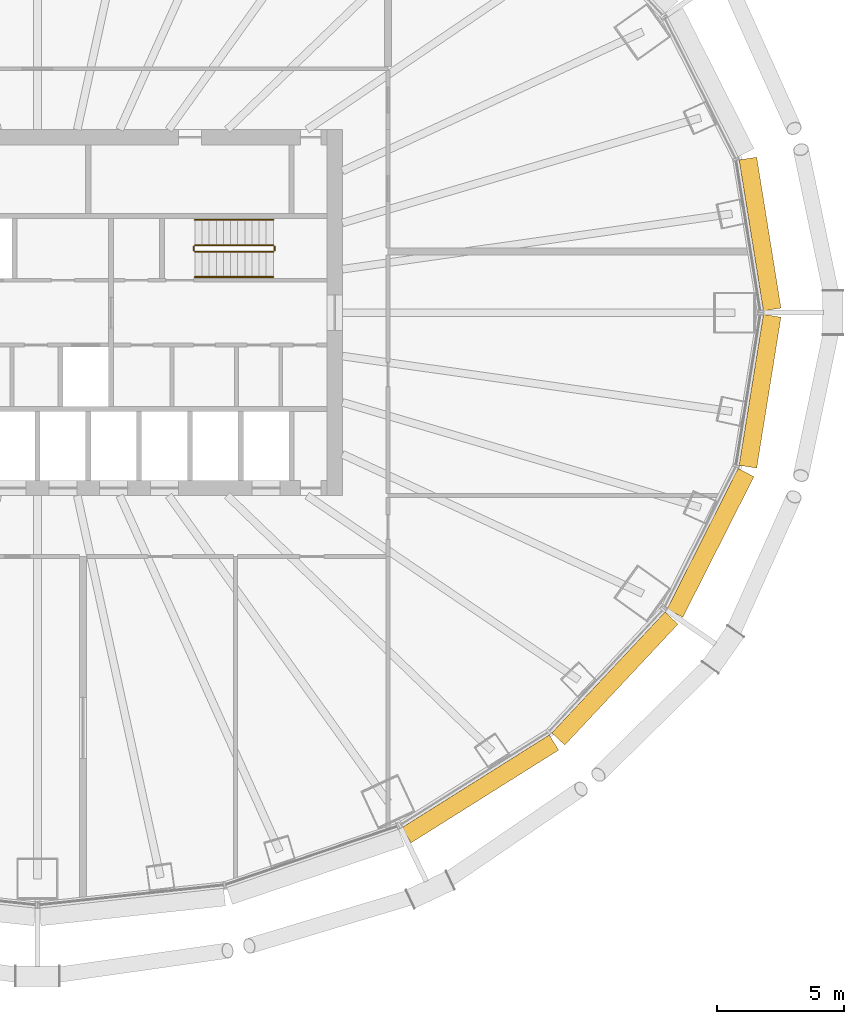
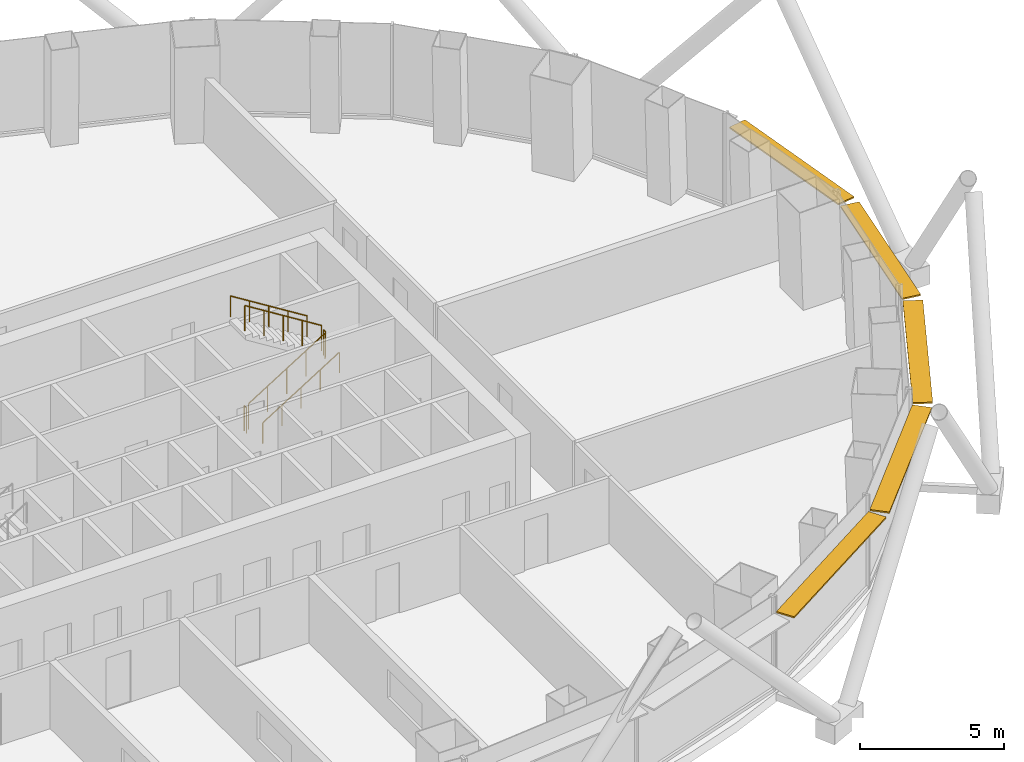
# One storey, part 15 of 16: 6 railings, 5 shading devices.
"""IFC4 building model written with IfcOpenShell, lengths in metres."""

from ifc_helpers import new_model, si_unit, direction, frame, origin, origin_2d, place, context, subcontext, project, spatial, rectangle, circle, extrude, material, layer, layer_set, type_object, element, save


model = new_model("IFC4")

# Units and contexts
model_context = context("Model", 3, precision=1e-05, world=origin(), true_north=direction((0.0, 1.0)))
body_context = subcontext(model_context, "Body", "Model", "MODEL_VIEW")
ifc_project = project(units=[si_unit("LENGTHUNIT", "METRE"), si_unit("AREAUNIT", "SQUARE_METRE"), si_unit("VOLUMEUNIT", "CUBIC_METRE"), si_unit("PLANEANGLEUNIT", "RADIAN"), si_unit("MASSUNIT", "GRAM", prefix="KILO")], contexts=[model_context])

# Site, building, storey
site_placement = place(None, origin())
site = spatial("IfcSite", under=ifc_project, at=site_placement, CompositionType="ELEMENT")
building_placement = place(site_placement, origin())
building = spatial("IfcBuilding", under=site, at=building_placement, Name="Siaravel Broadcast Tower", CompositionType="ELEMENT")
storey_placement = place(building_placement, frame((0.0, 0.0, 28.699951171875)))
storey = spatial("IfcBuildingStorey", under=building, at=storey_placement, Name="L05", CompositionType="ELEMENT", Elevation=28.699951171875)

# Shading devices
ifc_material_1 = material(Name="Bronze anodised aluminium", Category="aluminium")
ifc_layer = layer(ifc_material_1, 0.06005859375)
ifc_layer_set = layer_set([ifc_layer], Name="Bronze anodised aluminium")
shading_device_type = type_object("IfcShadingDeviceType", Name="Brise-soleil band", PredefinedType="USERDEFINED", material=ifc_layer_set)
shading_device_1_placement = place(storey_placement, frame((28.435546875, 3.093505859375, 3.27001953125), z_axis=(0.0, 0.0, 1.0), x_axis=(-0.158685394, 0.987329198, 0.0)))
element("IfcShadingDevice", 1, at=shading_device_1_placement, inside=storey, type_object=shading_device_type, Name="L05 brise-soleil band 01", ObjectType="SUNSHADE", PredefinedType="USERDEFINED", context=body_context, shape_type="SweptSolid", body=[
    extrude(rectangle(XDim=6.0146484375, YDim=0.699951171875, at=origin_2d()), origin(), (0.0, 0.0, 1.0), 0.06005859375),
])
shading_device_2_placement = place(storey_placement, frame((17.42138671875, -18.742431640625, 3.27001953125), z_axis=(0.0, 0.0, 1.0), x_axis=(0.846651365, 0.532147974, 0.0)))
element("IfcShadingDevice", 2, at=shading_device_2_placement, inside=storey, type_object=shading_device_type, Name="L05 brise-soleil band 21", ObjectType="SUNSHADE", PredefinedType="USERDEFINED", context=body_context, shape_type="SweptSolid", body=[
    extrude(rectangle(XDim=6.860107421875, YDim=0.699951171875, at=origin_2d()), origin(), (0.0, 0.0, 1.0), 0.06005859375),
])
shading_device_3_placement = place(storey_placement, frame((22.722900390625, -14.399169921875, 3.27001953125), z_axis=(0.0, 0.0, 1.0), x_axis=(0.683655992, 0.729804415, 0.0)))
element("IfcShadingDevice", 3, at=shading_device_3_placement, inside=storey, type_object=shading_device_type, Name="L05 brise-soleil band 22", ObjectType="SUNSHADE", PredefinedType="USERDEFINED", context=body_context, shape_type="SweptSolid", body=[
    extrude(rectangle(XDim=6.51611328125, YDim=0.699951171875, at=origin_2d()), origin(), (0.0, 0.0, 1.0), 0.06005859375),
])
shading_device_4_placement = place(storey_placement, frame((26.4833984375, -9.06298828125, 3.27001953125), z_axis=(0.0, 0.0, 1.0), x_axis=(0.451262289, 0.892391364, 0.0)))
element("IfcShadingDevice", 4, at=shading_device_4_placement, inside=storey, type_object=shading_device_type, Name="L05 brise-soleil band 23", ObjectType="SUNSHADE", PredefinedType="USERDEFINED", context=body_context, shape_type="SweptSolid", body=[
    extrude(rectangle(XDim=6.20263671875, YDim=0.699951171875, at=origin_2d()), origin(), (0.0, 0.0, 1.0), 0.06005859375),
])
shading_device_5_placement = place(storey_placement, frame((28.435546875, -3.093505859375, 3.27001953125), z_axis=(0.0, 0.0, 1.0), x_axis=(0.158685394, 0.987329198, 0.0)))
element("IfcShadingDevice", 5, at=shading_device_5_placement, inside=storey, type_object=shading_device_type, Name="L05 brise-soleil band 24", ObjectType="SUNSHADE", PredefinedType="USERDEFINED", context=body_context, shape_type="SweptSolid", body=[
    extrude(rectangle(XDim=6.0146484375, YDim=0.699951171875, at=origin_2d()), origin(), (0.0, 0.0, 1.0), 0.06005859375),
])

# Railings
ifc_material_2 = material(Name="Stainless steel 316L", Category="steel")
railing_type_1 = type_object("IfcRailingType", Name="Stair guard 1100", PredefinedType="GUARDRAIL", material=ifc_material_2)
railing_1_placement = place(storey_placement, frame((6.199951171875, 2.39990234375, 0.175048828125)))
element("IfcRailing", 6, at=railing_1_placement, inside=storey, type_object=railing_type_1, Name="L05 ST-2 stair guard 1", PredefinedType="GUARDRAIL", context=body_context, shape_type="SweptSolid", body=[
    extrude(circle(Radius=0.02392578125, at=origin_2d()), frame((0.0, 0.0, 1.076171875), z_axis=(0.847998304, 0.0, 0.52999894), x_axis=(0.0, 1.0, 0.0)), (0.0, 0.0, 1.0), 3.632080078125),
    extrude(circle(Radius=0.02099609375, at=origin_2d()), origin(), (0.0, 0.0, 1.0), 1.052001953125),
    extrude(circle(Radius=0.02099609375, at=origin_2d()), frame((0.77001953125, 0.0, 0.481201171875)), (0.0, 0.0, 1.0), 1.052001953125),
    extrude(circle(Radius=0.02099609375, at=origin_2d()), frame((1.5400390625, 0.0, 0.96240234375)), (0.0, 0.0, 1.0), 1.052001953125),
    extrude(circle(Radius=0.02099609375, at=origin_2d()), frame((2.31005859375, 0.0, 1.44384765625)), (0.0, 0.0, 1.0), 1.052001953125),
    extrude(circle(Radius=0.02099609375, at=origin_2d()), frame((3.080078125, 0.0, 1.925048828125)), (0.0, 0.0, 1.0), 1.052001953125),
])
railing_2_placement = place(storey_placement, frame((9.330078125, 2.449951171875, 2.10009765625)))
element("IfcRailing", 7, at=railing_2_placement, inside=storey, type_object=railing_type_1, Name="L05 ST-2 stair guard 2", PredefinedType="GUARDRAIL", context=body_context, shape_type="SweptSolid", body=[
    extrude(circle(Radius=0.02392578125, at=origin_2d()), frame((0.0, 0.0, 1.076171875), z_axis=(0.0, 1.0, 0.0), x_axis=(-1.0, 0.0, 0.0)), (0.0, 0.0, 1.0), 0.150146484375),
    extrude(circle(Radius=0.02099609375, at=origin_2d()), origin(), (0.0, 0.0, 1.0), 1.052001953125),
    extrude(circle(Radius=0.02099609375, at=origin_2d()), frame((0.0, 0.150146484375, 0.0)), (0.0, 0.0, 1.0), 1.052001953125),
])
railing_3_placement = place(storey_placement, frame((9.280029296875, 2.64990234375, 2.275146484375)))
element("IfcRailing", 8, at=railing_3_placement, inside=storey, type_object=railing_type_1, Name="L05 ST-2 stair guard 3", PredefinedType="GUARDRAIL", context=body_context, shape_type="SweptSolid", body=[
    extrude(circle(Radius=0.02392578125, at=origin_2d()), frame((0.0, 0.0, 1.076171875), z_axis=(-0.848028513, 0.0, 0.529950602), x_axis=(0.0, -1.0, 0.0)), (0.0, 0.0, 1.0), 3.632080078125),
    extrude(circle(Radius=0.02099609375, at=origin_2d()), origin(), (0.0, 0.0, 1.0), 1.052001953125),
    extrude(circle(Radius=0.02099609375, at=origin_2d()), frame((-0.77001953125, 0.0, 0.481201171875)), (0.0, 0.0, 1.0), 1.052001953125),
    extrude(circle(Radius=0.02099609375, at=origin_2d()), frame((-1.5400390625, 0.0, 0.96240234375)), (0.0, 0.0, 1.0), 1.052001953125),
    extrude(circle(Radius=0.02099609375, at=origin_2d()), frame((-2.31005859375, 0.0, 1.443603515625)), (0.0, 0.0, 1.0), 1.052001953125),
    extrude(circle(Radius=0.02099609375, at=origin_2d()), frame((-3.080078125, 0.0, 1.9248046875)), (0.0, 0.0, 1.0), 1.052001953125),
])
railing_4_placement = place(storey_placement, frame((6.14990234375, 2.449951171875, 0.0)))
element("IfcRailing", 9, at=railing_4_placement, inside=storey, type_object=railing_type_1, Name="L05 ST-2 stair guard 4", PredefinedType="GUARDRAIL", context=body_context, shape_type="SweptSolid", body=[
    extrude(circle(Radius=0.02392578125, at=origin_2d()), frame((0.0, 0.0, 1.076171875), z_axis=(0.0, 1.0, 0.0), x_axis=(-1.0, 0.0, 0.0)), (0.0, 0.0, 1.0), 0.150146484375),
    extrude(circle(Radius=0.02099609375, at=origin_2d()), origin(), (0.0, 0.0, 1.0), 1.052001953125),
    extrude(circle(Radius=0.02099609375, at=origin_2d()), frame((0.0, 0.150146484375, 0.0)), (0.0, 0.0, 1.0), 1.052001953125),
])
railing_type_2 = type_object("IfcRailingType", Name="Stair handrail 900", PredefinedType="HANDRAIL", material=ifc_material_2)
railing_5_placement = place(storey_placement, frame((6.199951171875, 1.39990234375, 0.175048828125)))
element("IfcRailing", 10, at=railing_5_placement, inside=storey, type_object=railing_type_2, Name="L05 ST-2 stair handrail 1", PredefinedType="HANDRAIL", context=body_context, shape_type="SweptSolid", body=[
    extrude(circle(Radius=0.02392578125, at=origin_2d()), frame((0.0, 0.0, 0.8759765625), z_axis=(0.847998304, 0.0, 0.52999894), x_axis=(0.0, 1.0, 0.0)), (0.0, 0.0, 1.0), 3.632080078125),
    extrude(circle(Radius=0.02099609375, at=origin_2d()), origin(), (0.0, 0.0, 1.0), 0.851806640625),
    extrude(circle(Radius=0.02099609375, at=origin_2d()), frame((0.77001953125, 0.0, 0.481201171875)), (0.0, 0.0, 1.0), 0.851806640625),
    extrude(circle(Radius=0.02099609375, at=origin_2d()), frame((1.5400390625, 0.0, 0.96240234375)), (0.0, 0.0, 1.0), 0.851806640625),
    extrude(circle(Radius=0.02099609375, at=origin_2d()), frame((2.31005859375, 0.0, 1.44384765625)), (0.0, 0.0, 1.0), 0.851806640625),
    extrude(circle(Radius=0.02099609375, at=origin_2d()), frame((3.080078125, 0.0, 1.925048828125)), (0.0, 0.0, 1.0), 0.851806640625),
])
railing_6_placement = place(storey_placement, frame((9.280029296875, 3.64990234375, 2.275146484375)))
element("IfcRailing", 11, at=railing_6_placement, inside=storey, type_object=railing_type_2, Name="L05 ST-2 stair handrail 2", PredefinedType="HANDRAIL", context=body_context, shape_type="SweptSolid", body=[
    extrude(circle(Radius=0.02392578125, at=origin_2d()), frame((0.0, 0.0, 0.8759765625), z_axis=(-0.848028513, 0.0, 0.529950602), x_axis=(0.0, -1.0, 0.0)), (0.0, 0.0, 1.0), 3.632080078125),
    extrude(circle(Radius=0.02099609375, at=origin_2d()), origin(), (0.0, 0.0, 1.0), 0.851806640625),
    extrude(circle(Radius=0.02099609375, at=origin_2d()), frame((-0.77001953125, 0.0, 0.481201171875)), (0.0, 0.0, 1.0), 0.851806640625),
    extrude(circle(Radius=0.02099609375, at=origin_2d()), frame((-1.5400390625, 0.0, 0.96240234375)), (0.0, 0.0, 1.0), 0.851806640625),
    extrude(circle(Radius=0.02099609375, at=origin_2d()), frame((-2.31005859375, 0.0, 1.443603515625)), (0.0, 0.0, 1.0), 0.851806640625),
    extrude(circle(Radius=0.02099609375, at=origin_2d()), frame((-3.080078125, 0.0, 1.9248046875)), (0.0, 0.0, 1.0), 0.851806640625),
])

save(model, "model.ifc")
